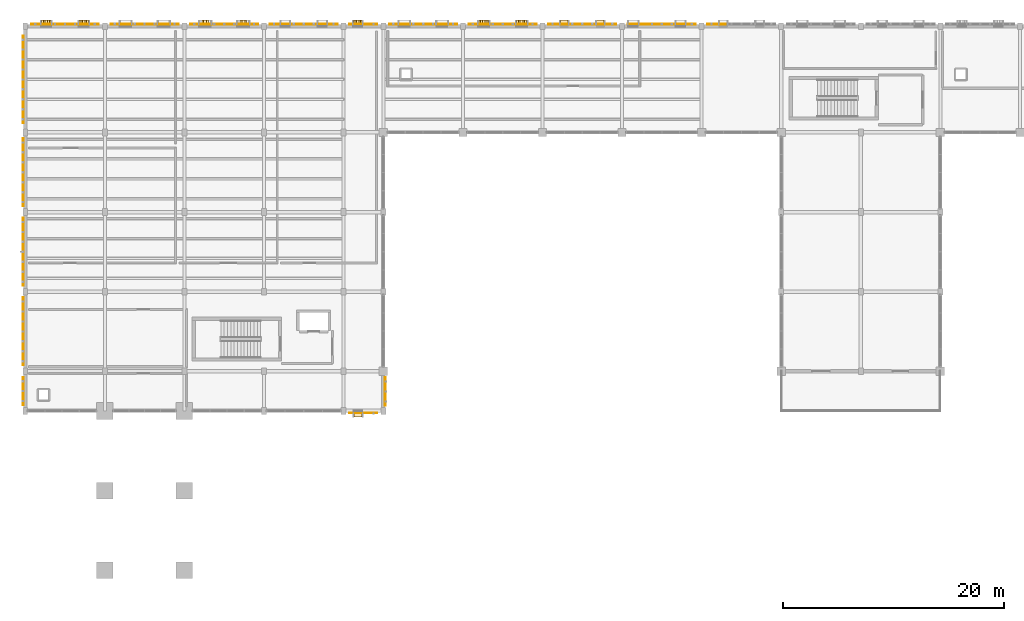
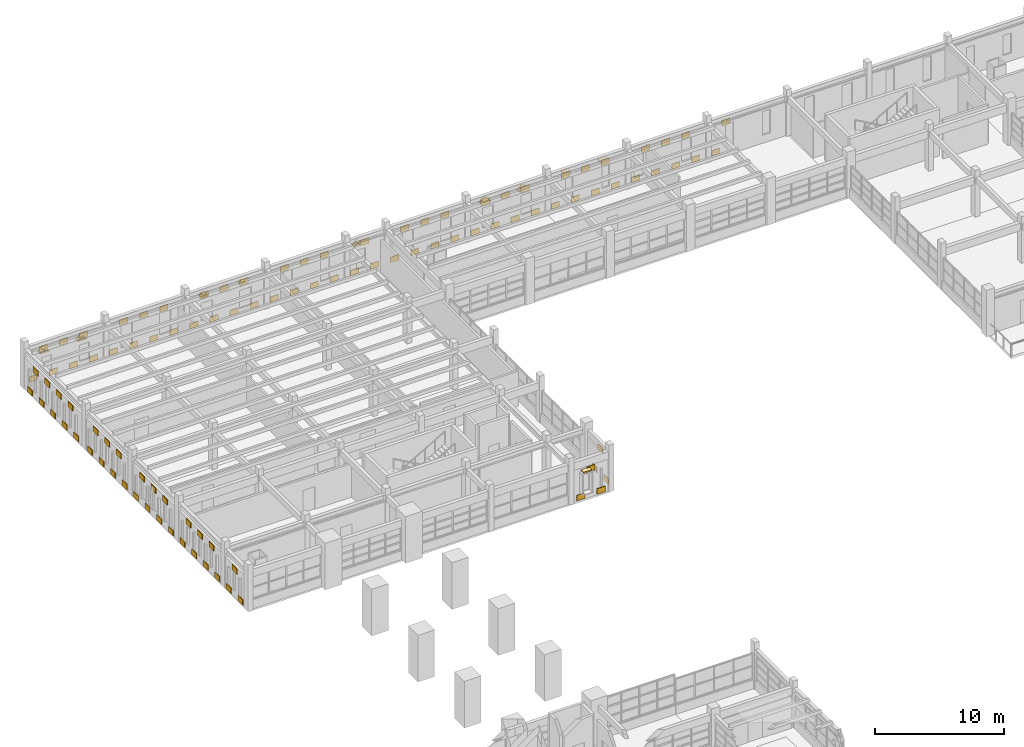
# One storey, part 66 of 69: 122 coverings.
"""IFC4 building model written with IfcOpenShell, lengths in metres."""

from ifc_helpers import new_model, si_unit, direction, frame, origin, origin_2d, place, context, subcontext, project, spatial, rectangle, extrude, material, layer, layer_set, type_object, element, save


model = new_model("IFC4")

# Units and contexts
model_context = context("Model", 3, precision=1e-05, world=origin(), true_north=direction((0.0, 1.0)))
body_context = subcontext(model_context, "Body", "Model", "MODEL_VIEW")
ifc_project = project(units=[si_unit("LENGTHUNIT", "METRE"), si_unit("AREAUNIT", "SQUARE_METRE"), si_unit("VOLUMEUNIT", "CUBIC_METRE"), si_unit("PLANEANGLEUNIT", "RADIAN"), si_unit("MASSUNIT", "GRAM", prefix="KILO")], contexts=[model_context])

# Site, building, storey
site_placement = place(None, origin())
site = spatial("IfcSite", under=ifc_project, at=site_placement, CompositionType="ELEMENT")
building_placement = place(site_placement, origin())
building = spatial("IfcBuilding", under=site, at=building_placement, Name="Nzembalo Square Collegiate School", CompositionType="ELEMENT")
storey_placement = place(building_placement, frame((0.0, 0.0, 5.10009765625)))
storey = spatial("IfcBuildingStorey", under=building, at=storey_placement, Name="L01", CompositionType="ELEMENT", Elevation=5.10009765625)

# Coverings
ifc_material_1 = material(Name="Glazed cobalt ceramic patterned tile")
ifc_layer_1 = layer(ifc_material_1, 0.074951171875, Name="Glazed cobalt ceramic patterned tile")
ifc_layer_set_1 = layer_set([ifc_layer_1], Name="Glazed cobalt ceramic patterned tile")
covering_type_1 = type_object("IfcCoveringType", Name="CL01", PredefinedType="CLADDING", material=ifc_layer_set_1)
for number, where, z_axis, x_axis, name in (
    (1, (38.10009765625, 79.0224609375, 0.099853515625), (0.0, 0.0, 1.0), (1.0, 0.0, 0.0), "Patterned ceramic tile CL01-X0109-0-0"),
    (2, (39.0, 79.0224609375, 2.48388671875), (0.0, 0.0, 1.0), (1.0, 0.0, 0.0), "Patterned ceramic tile CL01-X0109-1-1"),
    (3, (39.89990234375, 79.0224609375, 0.099853515625), (0.0, 0.0, 1.0), (1.0, 0.0, 0.0), "Patterned ceramic tile CL01-X0109-2-0"),
):
    element("IfcCovering", number, at=place(storey_placement, frame(where, z_axis=z_axis, x_axis=x_axis)), inside=storey, type_object=covering_type_1, Name=name, PredefinedType="CLADDING", context=body_context, shape_type="SweptSolid", body=[
        extrude(rectangle(XDim=0.739990234375, YDim=0.074951171875, at=origin_2d()), origin(), (0.0, 0.0, 1.0), 0.52001953125),
    ])
for number, where, z_axis, x_axis, name in (
    (4, (8.21240234375, 80.10009765625, 0.099853515625), (0.0, 0.0, 1.0), (1.0, 0.0, 0.0), "Patterned ceramic tile CL01-Y0110-0-0"),
    (5, (8.21240234375, 81.0, 2.48388671875), (0.0, 0.0, 1.0), (1.0, 0.0, 0.0), "Patterned ceramic tile CL01-Y0110-1-1"),
    (6, (8.21240234375, 81.89990234375, 0.099853515625), (0.0, 0.0, 1.0), (1.0, 0.0, 0.0), "Patterned ceramic tile CL01-Y0110-2-0"),
    (7, (8.222412109375, 83.699951171875, 0.099853515625), (0.0, 0.0, 1.0), (1.0, 0.0, 0.0), "Patterned ceramic tile CL01-Y0111-0-0"),
    (8, (8.222412109375, 84.60009765625, 2.48388671875), (0.0, 0.0, 1.0), (1.0, 0.0, 0.0), "Patterned ceramic tile CL01-Y0111-1-1"),
    (9, (8.222412109375, 85.5, 0.099853515625), (0.0, 0.0, 1.0), (1.0, 0.0, 0.0), "Patterned ceramic tile CL01-Y0111-2-0"),
    (10, (8.222412109375, 86.39990234375, 2.48388671875), (0.0, 0.0, 1.0), (1.0, 0.0, 0.0), "Patterned ceramic tile CL01-Y0111-3-1"),
    (11, (8.222412109375, 87.300048828125, 0.099853515625), (0.0, 0.0, 1.0), (1.0, 0.0, 0.0), "Patterned ceramic tile CL01-Y0111-4-0"),
    (12, (8.222412109375, 88.199951171875, 2.48388671875), (0.0, 0.0, 1.0), (1.0, 0.0, 0.0), "Patterned ceramic tile CL01-Y0111-5-1"),
    (13, (8.222412109375, 89.10009765625, 0.099853515625), (0.0, 0.0, 1.0), (1.0, 0.0, 0.0), "Patterned ceramic tile CL01-Y0111-6-0"),
    (14, (8.21240234375, 90.89990234375, 0.099853515625), (0.0, 0.0, 1.0), (1.0, 0.0, 0.0), "Patterned ceramic tile CL01-Y0112-0-0"),
    (15, (8.21240234375, 91.800048828125, 2.48388671875), (0.0, 0.0, 1.0), (1.0, 0.0, 0.0), "Patterned ceramic tile CL01-Y0112-1-1"),
    (16, (8.21240234375, 92.699951171875, 0.099853515625), (0.0, 0.0, 1.0), (1.0, 0.0, 0.0), "Patterned ceramic tile CL01-Y0112-2-0"),
    (17, (8.21240234375, 93.60009765625, 2.48388671875), (0.0, 0.0, 1.0), (1.0, 0.0, 0.0), "Patterned ceramic tile CL01-Y0112-3-1"),
    (18, (8.21240234375, 94.5, 0.099853515625), (0.0, 0.0, 1.0), (1.0, 0.0, 0.0), "Patterned ceramic tile CL01-Y0112-4-0"),
    (19, (8.21240234375, 95.39990234375, 2.48388671875), (0.0, 0.0, 1.0), (1.0, 0.0, 0.0), "Patterned ceramic tile CL01-Y0112-5-1"),
    (20, (8.21240234375, 96.300048828125, 0.099853515625), (0.0, 0.0, 1.0), (1.0, 0.0, 0.0), "Patterned ceramic tile CL01-Y0112-6-0"),
    (21, (8.222412109375, 98.10009765625, 0.099853515625), (0.0, 0.0, 1.0), (1.0, 0.0, 0.0), "Patterned ceramic tile CL01-Y0113-0-0"),
    (22, (8.222412109375, 99.0, 2.48388671875), (0.0, 0.0, 1.0), (1.0, 0.0, 0.0), "Patterned ceramic tile CL01-Y0113-1-1"),
    (23, (8.222412109375, 99.89990234375, 0.099853515625), (0.0, 0.0, 1.0), (1.0, 0.0, 0.0), "Patterned ceramic tile CL01-Y0113-2-0"),
    (24, (8.222412109375, 100.800048828125, 2.48388671875), (0.0, 0.0, 1.0), (1.0, 0.0, 0.0), "Patterned ceramic tile CL01-Y0113-3-1"),
    (25, (8.222412109375, 101.699951171875, 0.099853515625), (0.0, 0.0, 1.0), (1.0, 0.0, 0.0), "Patterned ceramic tile CL01-Y0113-4-0"),
    (26, (8.222412109375, 102.60009765625, 2.48388671875), (0.0, 0.0, 1.0), (1.0, 0.0, 0.0), "Patterned ceramic tile CL01-Y0113-5-1"),
    (27, (8.222412109375, 103.5, 0.099853515625), (0.0, 0.0, 1.0), (1.0, 0.0, 0.0), "Patterned ceramic tile CL01-Y0113-6-0"),
    (28, (8.21240234375, 105.60009765625, 0.099853515625), (0.0, 0.0, 1.0), (1.0, 0.0, 0.0), "Patterned ceramic tile CL01-Y0114-0-0"),
    (29, (8.21240234375, 106.5, 2.48388671875), (0.0, 0.0, 1.0), (1.0, 0.0, 0.0), "Patterned ceramic tile CL01-Y0114-1-1"),
    (30, (8.21240234375, 107.39990234375, 0.099853515625), (0.0, 0.0, 1.0), (1.0, 0.0, 0.0), "Patterned ceramic tile CL01-Y0114-2-0"),
    (31, (8.21240234375, 108.300048828125, 2.48388671875), (0.0, 0.0, 1.0), (1.0, 0.0, 0.0), "Patterned ceramic tile CL01-Y0114-3-1"),
    (32, (8.21240234375, 109.199951171875, 0.099853515625), (0.0, 0.0, 1.0), (1.0, 0.0, 0.0), "Patterned ceramic tile CL01-Y0114-4-0"),
    (33, (8.21240234375, 110.10009765625, 2.48388671875), (0.0, 0.0, 1.0), (1.0, 0.0, 0.0), "Patterned ceramic tile CL01-Y0114-5-1"),
    (34, (8.21240234375, 111.0, 0.099853515625), (0.0, 0.0, 1.0), (1.0, 0.0, 0.0), "Patterned ceramic tile CL01-Y0114-6-0"),
    (35, (8.21240234375, 111.89990234375, 2.48388671875), (0.0, 0.0, 1.0), (1.0, 0.0, 0.0), "Patterned ceramic tile CL01-Y0114-7-1"),
    (36, (8.21240234375, 112.800048828125, 0.099853515625), (0.0, 0.0, 1.0), (1.0, 0.0, 0.0), "Patterned ceramic tile CL01-Y0114-8-0"),
):
    element("IfcCovering", number, at=place(storey_placement, frame(where, z_axis=z_axis, x_axis=x_axis)), inside=storey, type_object=covering_type_1, Name=name, PredefinedType="CLADDING", context=body_context, shape_type="SweptSolid", body=[
        extrude(rectangle(XDim=0.074951171875, YDim=0.739990234375, at=origin_2d()), origin(), (0.0, 0.0, 1.0), 0.52001953125),
    ])
for number, where, z_axis, x_axis, name in (
    (37, (9.300048828125, 114.177490234375, 0.099853515625), (0.0, 0.0, 1.0), (1.0, 0.0, 0.0), "Patterned ceramic tile CL01-X0115-0-0"),
    (38, (10.199951171875, 114.177490234375, 2.643798828125), (0.0, 0.0, 1.0), (1.0, 0.0, 0.0), "Patterned ceramic tile CL01-X0115-1-1"),
    (39, (11.10009765625, 114.177490234375, 0.099853515625), (0.0, 0.0, 1.0), (1.0, 0.0, 0.0), "Patterned ceramic tile CL01-X0115-2-0"),
    (40, (12.0, 114.177490234375, 2.643798828125), (0.0, 0.0, 1.0), (1.0, 0.0, 0.0), "Patterned ceramic tile CL01-X0115-3-1"),
    (41, (12.89990234375, 114.177490234375, 0.099853515625), (0.0, 0.0, 1.0), (1.0, 0.0, 0.0), "Patterned ceramic tile CL01-X0115-4-0"),
    (42, (13.800048828125, 114.177490234375, 2.643798828125), (0.0, 0.0, 1.0), (1.0, 0.0, 0.0), "Patterned ceramic tile CL01-X0115-5-1"),
    (43, (14.699951171875, 114.177490234375, 0.099853515625), (0.0, 0.0, 1.0), (1.0, 0.0, 0.0), "Patterned ceramic tile CL01-X0115-6-0"),
    (44, (16.5, 114.1875, 0.099853515625), (0.0, 0.0, 1.0), (1.0, 0.0, 0.0), "Patterned ceramic tile CL01-X0116-0-0"),
    (45, (17.39990234375, 114.1875, 2.643798828125), (0.0, 0.0, 1.0), (1.0, 0.0, 0.0), "Patterned ceramic tile CL01-X0116-1-1"),
    (46, (18.300048828125, 114.1875, 0.099853515625), (0.0, 0.0, 1.0), (1.0, 0.0, 0.0), "Patterned ceramic tile CL01-X0116-2-0"),
    (47, (19.199951171875, 114.1875, 2.643798828125), (0.0, 0.0, 1.0), (1.0, 0.0, 0.0), "Patterned ceramic tile CL01-X0116-3-1"),
    (48, (20.10009765625, 114.1875, 0.099853515625), (0.0, 0.0, 1.0), (1.0, 0.0, 0.0), "Patterned ceramic tile CL01-X0116-4-0"),
    (49, (21.0, 114.1875, 2.643798828125), (0.0, 0.0, 1.0), (1.0, 0.0, 0.0), "Patterned ceramic tile CL01-X0116-5-1"),
    (50, (21.89990234375, 114.1875, 0.099853515625), (0.0, 0.0, 1.0), (1.0, 0.0, 0.0), "Patterned ceramic tile CL01-X0116-6-0"),
    (51, (23.699951171875, 114.177490234375, 0.099853515625), (0.0, 0.0, 1.0), (1.0, 0.0, 0.0), "Patterned ceramic tile CL01-X0117-0-0"),
    (52, (24.60009765625, 114.177490234375, 2.643798828125), (0.0, 0.0, 1.0), (1.0, 0.0, 0.0), "Patterned ceramic tile CL01-X0117-1-1"),
    (53, (25.5, 114.177490234375, 0.099853515625), (0.0, 0.0, 1.0), (1.0, 0.0, 0.0), "Patterned ceramic tile CL01-X0117-2-0"),
    (54, (26.39990234375, 114.177490234375, 2.643798828125), (0.0, 0.0, 1.0), (1.0, 0.0, 0.0), "Patterned ceramic tile CL01-X0117-3-1"),
    (55, (27.300048828125, 114.177490234375, 0.099853515625), (0.0, 0.0, 1.0), (1.0, 0.0, 0.0), "Patterned ceramic tile CL01-X0117-4-0"),
    (56, (28.199951171875, 114.177490234375, 2.643798828125), (0.0, 0.0, 1.0), (1.0, 0.0, 0.0), "Patterned ceramic tile CL01-X0117-5-1"),
    (57, (29.10009765625, 114.177490234375, 0.099853515625), (0.0, 0.0, 1.0), (1.0, 0.0, 0.0), "Patterned ceramic tile CL01-X0117-6-0"),
    (58, (30.89990234375, 114.1875, 0.099853515625), (0.0, 0.0, 1.0), (1.0, 0.0, 0.0), "Patterned ceramic tile CL01-X0118-0-0"),
    (59, (31.800048828125, 114.1875, 2.643798828125), (0.0, 0.0, 1.0), (1.0, 0.0, 0.0), "Patterned ceramic tile CL01-X0118-1-1"),
    (60, (32.699951171875, 114.1875, 0.099853515625), (0.0, 0.0, 1.0), (1.0, 0.0, 0.0), "Patterned ceramic tile CL01-X0118-2-0"),
    (61, (33.60009765625, 114.1875, 2.643798828125), (0.0, 0.0, 1.0), (1.0, 0.0, 0.0), "Patterned ceramic tile CL01-X0118-3-1"),
    (62, (34.5, 114.1875, 0.099853515625), (0.0, 0.0, 1.0), (1.0, 0.0, 0.0), "Patterned ceramic tile CL01-X0118-4-0"),
    (63, (35.39990234375, 114.1875, 2.643798828125), (0.0, 0.0, 1.0), (1.0, 0.0, 0.0), "Patterned ceramic tile CL01-X0118-5-1"),
    (64, (36.300048828125, 114.1875, 0.099853515625), (0.0, 0.0, 1.0), (1.0, 0.0, 0.0), "Patterned ceramic tile CL01-X0118-6-0"),
    (65, (38.10009765625, 114.177490234375, 0.099853515625), (0.0, 0.0, 1.0), (1.0, 0.0, 0.0), "Patterned ceramic tile CL01-X0119-0-0"),
    (66, (39.0, 114.177490234375, 2.643798828125), (0.0, 0.0, 1.0), (1.0, 0.0, 0.0), "Patterned ceramic tile CL01-X0119-1-1"),
    (67, (39.89990234375, 114.177490234375, 0.099853515625), (0.0, 0.0, 1.0), (1.0, 0.0, 0.0), "Patterned ceramic tile CL01-X0119-2-0"),
    (68, (41.699951171875, 114.1875, 0.099853515625), (0.0, 0.0, 1.0), (1.0, 0.0, 0.0), "Patterned ceramic tile CL01-X0120-0-0"),
    (69, (42.60009765625, 114.1875, 2.643798828125), (0.0, 0.0, 1.0), (1.0, 0.0, 0.0), "Patterned ceramic tile CL01-X0120-1-1"),
    (70, (43.5, 114.1875, 0.099853515625), (0.0, 0.0, 1.0), (1.0, 0.0, 0.0), "Patterned ceramic tile CL01-X0120-2-0"),
    (71, (44.39990234375, 114.1875, 2.643798828125), (0.0, 0.0, 1.0), (1.0, 0.0, 0.0), "Patterned ceramic tile CL01-X0120-3-1"),
    (72, (45.300048828125, 114.1875, 0.099853515625), (0.0, 0.0, 1.0), (1.0, 0.0, 0.0), "Patterned ceramic tile CL01-X0120-4-0"),
    (73, (46.199951171875, 114.1875, 2.643798828125), (0.0, 0.0, 1.0), (1.0, 0.0, 0.0), "Patterned ceramic tile CL01-X0120-5-1"),
    (74, (47.10009765625, 114.1875, 0.099853515625), (0.0, 0.0, 1.0), (1.0, 0.0, 0.0), "Patterned ceramic tile CL01-X0120-6-0"),
    (75, (48.89990234375, 114.177490234375, 0.099853515625), (0.0, 0.0, 1.0), (1.0, 0.0, 0.0), "Patterned ceramic tile CL01-X0121-0-0"),
    (76, (49.800048828125, 114.177490234375, 2.643798828125), (0.0, 0.0, 1.0), (1.0, 0.0, 0.0), "Patterned ceramic tile CL01-X0121-1-1"),
    (77, (50.699951171875, 114.177490234375, 0.099853515625), (0.0, 0.0, 1.0), (1.0, 0.0, 0.0), "Patterned ceramic tile CL01-X0121-2-0"),
    (78, (51.60009765625, 114.177490234375, 2.643798828125), (0.0, 0.0, 1.0), (1.0, 0.0, 0.0), "Patterned ceramic tile CL01-X0121-3-1"),
    (79, (52.5, 114.177490234375, 0.099853515625), (0.0, 0.0, 1.0), (1.0, 0.0, 0.0), "Patterned ceramic tile CL01-X0121-4-0"),
    (80, (53.39990234375, 114.177490234375, 2.643798828125), (0.0, 0.0, 1.0), (1.0, 0.0, 0.0), "Patterned ceramic tile CL01-X0121-5-1"),
    (81, (54.300048828125, 114.177490234375, 0.099853515625), (0.0, 0.0, 1.0), (1.0, 0.0, 0.0), "Patterned ceramic tile CL01-X0121-6-0"),
    (82, (56.10009765625, 114.1875, 0.099853515625), (0.0, 0.0, 1.0), (1.0, 0.0, 0.0), "Patterned ceramic tile CL01-X0122-0-0"),
    (83, (57.0, 114.1875, 2.643798828125), (0.0, 0.0, 1.0), (1.0, 0.0, 0.0), "Patterned ceramic tile CL01-X0122-1-1"),
    (84, (57.89990234375, 114.1875, 0.099853515625), (0.0, 0.0, 1.0), (1.0, 0.0, 0.0), "Patterned ceramic tile CL01-X0122-2-0"),
    (85, (58.800048828125, 114.1875, 2.643798828125), (0.0, 0.0, 1.0), (1.0, 0.0, 0.0), "Patterned ceramic tile CL01-X0122-3-1"),
    (86, (59.699951171875, 114.1875, 0.099853515625), (0.0, 0.0, 1.0), (1.0, 0.0, 0.0), "Patterned ceramic tile CL01-X0122-4-0"),
    (87, (60.60009765625, 114.1875, 2.643798828125), (0.0, 0.0, 1.0), (1.0, 0.0, 0.0), "Patterned ceramic tile CL01-X0122-5-1"),
    (88, (61.5, 114.1875, 0.099853515625), (0.0, 0.0, 1.0), (1.0, 0.0, 0.0), "Patterned ceramic tile CL01-X0122-6-0"),
    (89, (63.300048828125, 114.177490234375, 0.099853515625), (0.0, 0.0, 1.0), (1.0, 0.0, 0.0), "Patterned ceramic tile CL01-X0123-0-0"),
    (90, (64.199951171875, 114.177490234375, 2.643798828125), (0.0, 0.0, 1.0), (1.0, 0.0, 0.0), "Patterned ceramic tile CL01-X0123-1-1"),
    (91, (65.10009765625, 114.177490234375, 0.099853515625), (0.0, 0.0, 1.0), (1.0, 0.0, 0.0), "Patterned ceramic tile CL01-X0123-2-0"),
    (92, (66.0, 114.177490234375, 2.643798828125), (0.0, 0.0, 1.0), (1.0, 0.0, 0.0), "Patterned ceramic tile CL01-X0123-3-1"),
    (93, (66.89990234375, 114.177490234375, 0.099853515625), (0.0, 0.0, 1.0), (1.0, 0.0, 0.0), "Patterned ceramic tile CL01-X0123-4-0"),
    (94, (67.800048828125, 114.177490234375, 2.643798828125), (0.0, 0.0, 1.0), (1.0, 0.0, 0.0), "Patterned ceramic tile CL01-X0123-5-1"),
    (95, (68.699951171875, 114.177490234375, 0.099853515625), (0.0, 0.0, 1.0), (1.0, 0.0, 0.0), "Patterned ceramic tile CL01-X0123-6-0"),
    (96, (70.5, 114.1875, 0.099853515625), (0.0, 0.0, 1.0), (1.0, 0.0, 0.0), "Patterned ceramic tile CL01-X0124-0-0"),
    (97, (71.39990234375, 114.1875, 2.643798828125), (0.0, 0.0, 1.0), (1.0, 0.0, 0.0), "Patterned ceramic tile CL01-X0124-1-1"),
):
    element("IfcCovering", number, at=place(storey_placement, frame(where, z_axis=z_axis, x_axis=x_axis)), inside=storey, type_object=covering_type_1, Name=name, PredefinedType="CLADDING", context=body_context, shape_type="SweptSolid", body=[
        extrude(rectangle(XDim=0.739990234375, YDim=0.074951171875, at=origin_2d()), origin(), (0.0, 0.0, 1.0), 0.52001953125),
    ])
for number, where, z_axis, x_axis, name in (
    (98, (40.987548828125, 80.0625, 0.099853515625), (0.0, 0.0, 1.0), (1.0, 0.0, 0.0), "Patterned ceramic tile CL01-Y0146-0-0"),
    (99, (40.987548828125, 80.96240234375, 2.48388671875), (0.0, 0.0, 1.0), (1.0, 0.0, 0.0), "Patterned ceramic tile CL01-Y0146-1-1"),
    (100, (40.987548828125, 81.862548828125, 0.099853515625), (0.0, 0.0, 1.0), (1.0, 0.0, 0.0), "Patterned ceramic tile CL01-Y0146-2-0"),
):
    element("IfcCovering", number, at=place(storey_placement, frame(where, z_axis=z_axis, x_axis=x_axis)), inside=storey, type_object=covering_type_1, Name=name, PredefinedType="CLADDING", context=body_context, shape_type="SweptSolid", body=[
        extrude(rectangle(XDim=0.074951171875, YDim=0.739990234375, at=origin_2d()), origin(), (0.0, 0.0, 1.0), 0.52001953125),
    ])
ifc_material_2 = material(Name="Glazed celadon ceramic window frame")
ifc_layer_2 = layer(ifc_material_2, 0.419921875, Name="Glazed celadon ceramic window frame")
ifc_layer_set_2 = layer_set([ifc_layer_2], Name="Glazed celadon ceramic window frame")
covering_type_2 = type_object("IfcCoveringType", Name="WF01", PredefinedType="CLADDING", material=ifc_layer_set_2)
covering_1_placement = place(storey_placement, frame((38.497314453125, 78.844970703125, 2.759765625), z_axis=(0.0, 0.0, 1.0), x_axis=(1.0, 0.0, 0.0)))
element("IfcCovering", 101, at=covering_1_placement, inside=storey, type_object=covering_type_2, Name="Pointed lancet gable WF01-0224-1", PredefinedType="CLADDING", context=body_context, shape_type="SweptSolid", body=[
    extrude(rectangle(XDim=0.721923828125, YDim=0.419921875, at=origin_2d()), origin(), (0.0, 0.0, 1.0), 0.1201171875),
])
covering_2_placement = place(storey_placement, frame((10.30859375, 114.35498046875, 2.409912109375), z_axis=(0.0, 0.0, 1.0), x_axis=(1.0, 0.0, 0.0)))
element("IfcCovering", 102, at=covering_2_placement, inside=storey, type_object=covering_type_2, Name="Pointed lancet gable WF01-0231-1", PredefinedType="CLADDING", context=body_context, shape_type="SweptSolid", body=[
    extrude(rectangle(XDim=0.8359375, YDim=0.419921875, at=origin_2d()), origin(), (0.0, 0.0, 1.0), 0.1201171875),
])
covering_3_placement = place(storey_placement, frame((10.30859375, 114.35498046875, 2.52978515625), z_axis=(0.0, 0.0, 1.0), x_axis=(1.0, 0.0, 0.0)))
element("IfcCovering", 103, at=covering_3_placement, inside=storey, type_object=covering_type_2, Name="Pointed lancet gable WF01-0231-2", PredefinedType="CLADDING", context=body_context, shape_type="SweptSolid", body=[
    extrude(rectangle(XDim=0.528076171875, YDim=0.419921875, at=origin_2d()), origin(), (0.0, 0.0, 1.0), 0.1201171875),
])
covering_4_placement = place(storey_placement, frame((10.30859375, 114.35498046875, 2.64990234375), z_axis=(0.0, 0.0, 1.0), x_axis=(1.0, 0.0, 0.0)))
element("IfcCovering", 104, at=covering_4_placement, inside=storey, type_object=covering_type_2, Name="Pointed lancet gable WF01-0231-3", PredefinedType="CLADDING", context=body_context, shape_type="SweptSolid", body=[
    extrude(rectangle(XDim=0.241943359375, YDim=0.419921875, at=origin_2d()), origin(), (0.0, 0.0, 1.0), 0.1201171875),
])
covering_5_placement = place(storey_placement, frame((13.69140625, 114.35498046875, 2.409912109375), z_axis=(0.0, 0.0, 1.0), x_axis=(1.0, 0.0, 0.0)))
element("IfcCovering", 105, at=covering_5_placement, inside=storey, type_object=covering_type_2, Name="Pointed lancet gable WF01-0232-1", PredefinedType="CLADDING", context=body_context, shape_type="SweptSolid", body=[
    extrude(rectangle(XDim=0.8359375, YDim=0.419921875, at=origin_2d()), origin(), (0.0, 0.0, 1.0), 0.1201171875),
])
covering_6_placement = place(storey_placement, frame((13.69140625, 114.35498046875, 2.52978515625), z_axis=(0.0, 0.0, 1.0), x_axis=(1.0, 0.0, 0.0)))
element("IfcCovering", 106, at=covering_6_placement, inside=storey, type_object=covering_type_2, Name="Pointed lancet gable WF01-0232-2", PredefinedType="CLADDING", context=body_context, shape_type="SweptSolid", body=[
    extrude(rectangle(XDim=0.528076171875, YDim=0.419921875, at=origin_2d()), origin(), (0.0, 0.0, 1.0), 0.1201171875),
])
covering_7_placement = place(storey_placement, frame((13.69140625, 114.35498046875, 2.64990234375), z_axis=(0.0, 0.0, 1.0), x_axis=(1.0, 0.0, 0.0)))
element("IfcCovering", 107, at=covering_7_placement, inside=storey, type_object=covering_type_2, Name="Pointed lancet gable WF01-0232-3", PredefinedType="CLADDING", context=body_context, shape_type="SweptSolid", body=[
    extrude(rectangle(XDim=0.241943359375, YDim=0.419921875, at=origin_2d()), origin(), (0.0, 0.0, 1.0), 0.1201171875),
])
covering_8_placement = place(storey_placement, frame((24.6708984375, 114.35498046875, 2.679931640625), z_axis=(0.0, 0.0, 1.0), x_axis=(1.0, 0.0, 0.0)))
element("IfcCovering", 108, at=covering_8_placement, inside=storey, type_object=covering_type_2, Name="Pointed lancet gable WF01-0235-2", PredefinedType="CLADDING", context=body_context, shape_type="SweptSolid", body=[
    extrude(rectangle(XDim=0.60009765625, YDim=0.419921875, at=origin_2d()), origin(), (0.0, 0.0, 1.0), 0.1201171875),
])
covering_9_placement = place(storey_placement, frame((24.6708984375, 114.35498046875, 2.7998046875), z_axis=(0.0, 0.0, 1.0), x_axis=(1.0, 0.0, 0.0)))
element("IfcCovering", 109, at=covering_9_placement, inside=storey, type_object=covering_type_2, Name="Pointed lancet gable WF01-0235-3", PredefinedType="CLADDING", context=body_context, shape_type="SweptSolid", body=[
    extrude(rectangle(XDim=0.27490234375, YDim=0.419921875, at=origin_2d()), origin(), (0.0, 0.0, 1.0), 0.1201171875),
])
covering_10_placement = place(storey_placement, frame((28.12890625, 114.35498046875, 2.679931640625), z_axis=(0.0, 0.0, 1.0), x_axis=(1.0, 0.0, 0.0)))
element("IfcCovering", 110, at=covering_10_placement, inside=storey, type_object=covering_type_2, Name="Pointed lancet gable WF01-0236-2", PredefinedType="CLADDING", context=body_context, shape_type="SweptSolid", body=[
    extrude(rectangle(XDim=0.60009765625, YDim=0.419921875, at=origin_2d()), origin(), (0.0, 0.0, 1.0), 0.1201171875),
])
covering_11_placement = place(storey_placement, frame((28.12890625, 114.35498046875, 2.7998046875), z_axis=(0.0, 0.0, 1.0), x_axis=(1.0, 0.0, 0.0)))
element("IfcCovering", 111, at=covering_11_placement, inside=storey, type_object=covering_type_2, Name="Pointed lancet gable WF01-0236-3", PredefinedType="CLADDING", context=body_context, shape_type="SweptSolid", body=[
    extrude(rectangle(XDim=0.27490234375, YDim=0.419921875, at=origin_2d()), origin(), (0.0, 0.0, 1.0), 0.1201171875),
])
covering_12_placement = place(storey_placement, frame((38.485595703125, 114.35498046875, 2.679931640625), z_axis=(0.0, 0.0, 1.0), x_axis=(1.0, 0.0, 0.0)))
element("IfcCovering", 112, at=covering_12_placement, inside=storey, type_object=covering_type_2, Name="Pointed lancet gable WF01-0260-1", PredefinedType="CLADDING", context=body_context, shape_type="SweptSolid", body=[
    extrude(rectangle(XDim=0.77490234375, YDim=0.419921875, at=origin_2d()), origin(), (0.0, 0.0, 1.0), 0.1201171875),
])
covering_13_placement = place(storey_placement, frame((38.485595703125, 114.35498046875, 2.7998046875), z_axis=(0.0, 0.0, 1.0), x_axis=(1.0, 0.0, 0.0)))
element("IfcCovering", 113, at=covering_13_placement, inside=storey, type_object=covering_type_2, Name="Pointed lancet gable WF01-0260-2", PredefinedType="CLADDING", context=body_context, shape_type="SweptSolid", body=[
    extrude(rectangle(XDim=0.489990234375, YDim=0.419921875, at=origin_2d()), origin(), (0.0, 0.0, 1.0), 0.1201171875),
])
covering_14_placement = place(storey_placement, frame((38.485595703125, 114.35498046875, 2.919921875), z_axis=(0.0, 0.0, 1.0), x_axis=(1.0, 0.0, 0.0)))
element("IfcCovering", 114, at=covering_14_placement, inside=storey, type_object=covering_type_2, Name="Pointed lancet gable WF01-0260-3", PredefinedType="CLADDING", context=body_context, shape_type="SweptSolid", body=[
    extrude(rectangle(XDim=0.22412109375, YDim=0.419921875, at=origin_2d()), origin(), (0.0, 0.0, 1.0), 0.1201171875),
])
covering_15_placement = place(storey_placement, frame((49.888427734375, 114.35498046875, 2.73974609375), z_axis=(0.0, 0.0, 1.0), x_axis=(1.0, 0.0, 0.0)))
element("IfcCovering", 115, at=covering_15_placement, inside=storey, type_object=covering_type_2, Name="Pointed lancet gable WF01-0263-1", PredefinedType="CLADDING", context=body_context, shape_type="SweptSolid", body=[
    extrude(rectangle(XDim=0.89697265625, YDim=0.419921875, at=origin_2d()), origin(), (0.0, 0.0, 1.0), 0.1201171875),
])
covering_16_placement = place(storey_placement, frame((49.888427734375, 114.35498046875, 2.85986328125), z_axis=(0.0, 0.0, 1.0), x_axis=(1.0, 0.0, 0.0)))
element("IfcCovering", 116, at=covering_16_placement, inside=storey, type_object=covering_type_2, Name="Pointed lancet gable WF01-0263-2", PredefinedType="CLADDING", context=body_context, shape_type="SweptSolid", body=[
    extrude(rectangle(XDim=0.56591796875, YDim=0.419921875, at=origin_2d()), origin(), (0.0, 0.0, 1.0), 0.1201171875),
])
covering_17_placement = place(storey_placement, frame((49.888427734375, 114.35498046875, 2.979736328125), z_axis=(0.0, 0.0, 1.0), x_axis=(1.0, 0.0, 0.0)))
element("IfcCovering", 117, at=covering_17_placement, inside=storey, type_object=covering_type_2, Name="Pointed lancet gable WF01-0263-3", PredefinedType="CLADDING", context=body_context, shape_type="SweptSolid", body=[
    extrude(rectangle(XDim=0.260009765625, YDim=0.419921875, at=origin_2d()), origin(), (0.0, 0.0, 1.0), 0.1201171875),
])
covering_18_placement = place(storey_placement, frame((53.3115234375, 114.35498046875, 2.73974609375), z_axis=(0.0, 0.0, 1.0), x_axis=(1.0, 0.0, 0.0)))
element("IfcCovering", 118, at=covering_18_placement, inside=storey, type_object=covering_type_2, Name="Pointed lancet gable WF01-0264-1", PredefinedType="CLADDING", context=body_context, shape_type="SweptSolid", body=[
    extrude(rectangle(XDim=0.89697265625, YDim=0.419921875, at=origin_2d()), origin(), (0.0, 0.0, 1.0), 0.1201171875),
])
covering_19_placement = place(storey_placement, frame((53.3115234375, 114.35498046875, 2.85986328125), z_axis=(0.0, 0.0, 1.0), x_axis=(1.0, 0.0, 0.0)))
element("IfcCovering", 119, at=covering_19_placement, inside=storey, type_object=covering_type_2, Name="Pointed lancet gable WF01-0264-2", PredefinedType="CLADDING", context=body_context, shape_type="SweptSolid", body=[
    extrude(rectangle(XDim=0.56591796875, YDim=0.419921875, at=origin_2d()), origin(), (0.0, 0.0, 1.0), 0.1201171875),
])
covering_20_placement = place(storey_placement, frame((53.3115234375, 114.35498046875, 2.979736328125), z_axis=(0.0, 0.0, 1.0), x_axis=(1.0, 0.0, 0.0)))
element("IfcCovering", 120, at=covering_20_placement, inside=storey, type_object=covering_type_2, Name="Pointed lancet gable WF01-0264-3", PredefinedType="CLADDING", context=body_context, shape_type="SweptSolid", body=[
    extrude(rectangle(XDim=0.260009765625, YDim=0.419921875, at=origin_2d()), origin(), (0.0, 0.0, 1.0), 0.1201171875),
])
for number, where, z_axis, x_axis, name in (
    (121, (57.16357421875, 114.364990234375, 3.019775390625), (0.0, 0.0, 1.0), (1.0, 0.0, 0.0), "Pointed lancet gable WF01-0280-1"),
    (122, (60.4365234375, 114.364990234375, 3.019775390625), (0.0, 0.0, 1.0), (1.0, 0.0, 0.0), "Pointed lancet gable WF01-0281-1"),
):
    element("IfcCovering", number, at=place(storey_placement, frame(where, z_axis=z_axis, x_axis=x_axis)), inside=storey, type_object=covering_type_2, Name=name, PredefinedType="CLADDING", context=body_context, shape_type="SweptSolid", body=[
        extrude(rectangle(XDim=0.6689453125, YDim=0.419921875, at=origin_2d()), origin(), (0.0, 0.0, 1.0), 0.1201171875),
    ])

save(model, "model.ifc")
